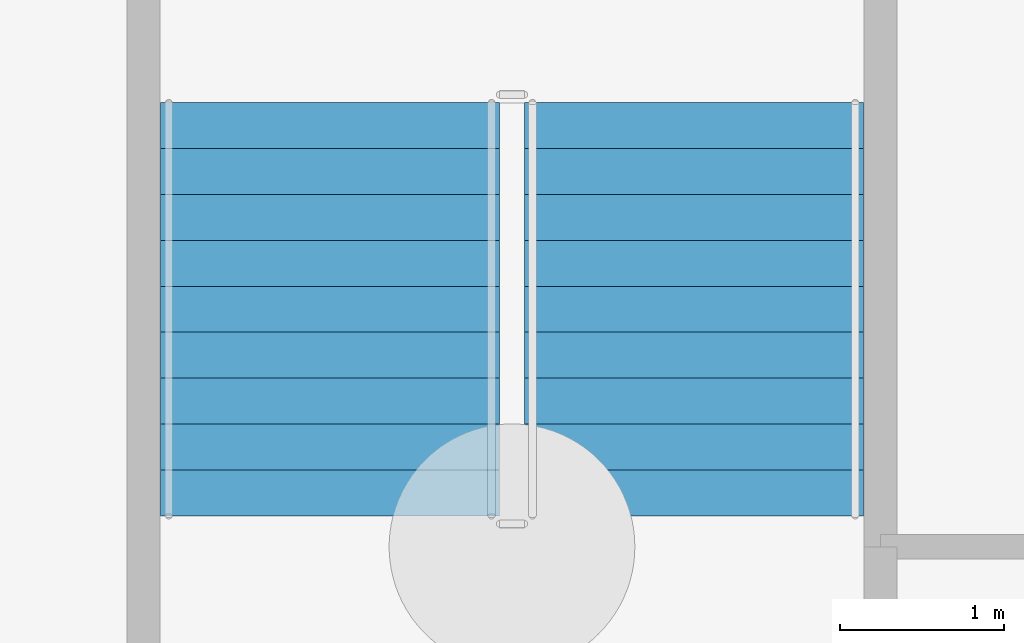
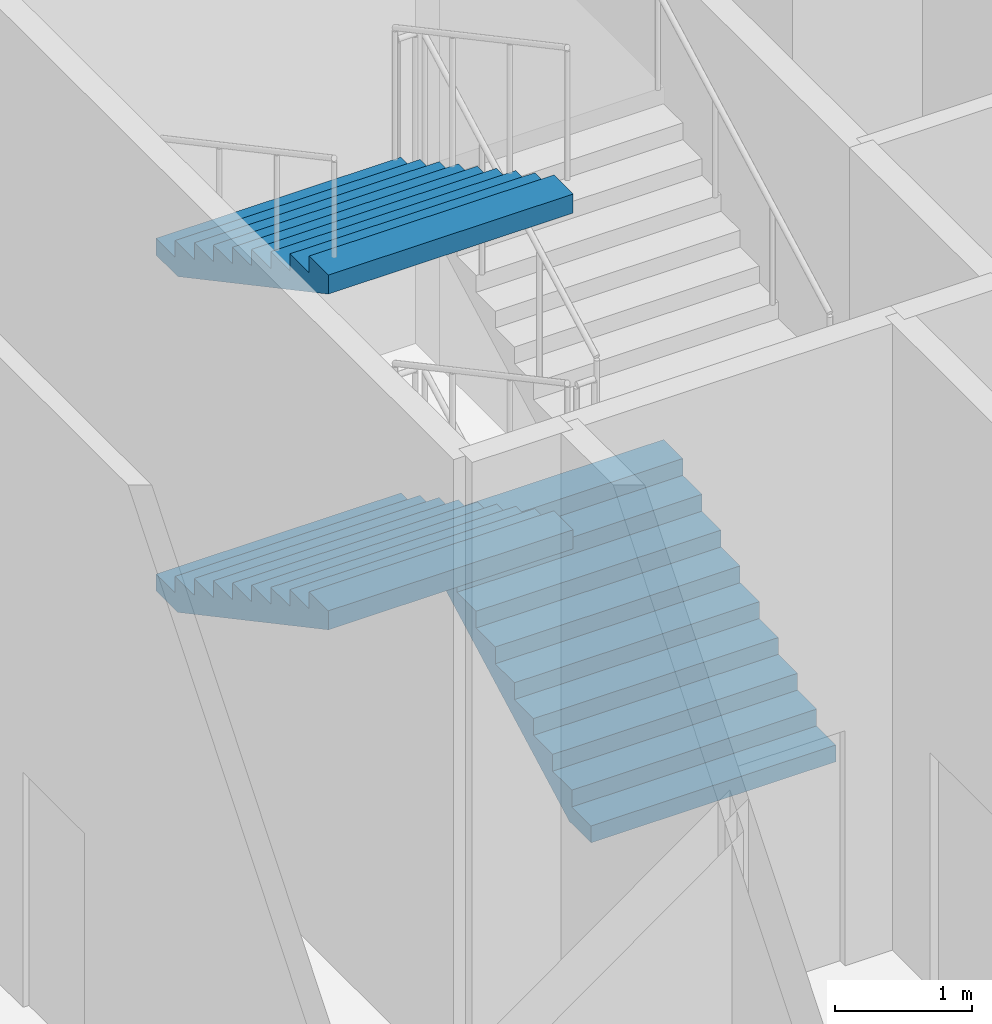
# One storey, part 8 of 25: 3 stair flights, 1 element without a shape of its own.
"""IFC4 building model written with IfcOpenShell, lengths in metres."""

from ifc_helpers import new_model, si_unit, direction, frame, origin, place, context, subcontext, project, spatial, polygons, material, type_object, element, aggregate, save


model = new_model("IFC4")

# Units and contexts
model_context = context("Model", 3, precision=1e-05, world=origin(), true_north=direction((0.0, 1.0)))
body_context = subcontext(model_context, "Body", "Model", "MODEL_VIEW")
ifc_project = project(units=[si_unit("LENGTHUNIT", "METRE"), si_unit("AREAUNIT", "SQUARE_METRE"), si_unit("VOLUMEUNIT", "CUBIC_METRE"), si_unit("PLANEANGLEUNIT", "RADIAN"), si_unit("MASSUNIT", "GRAM", prefix="KILO")], contexts=[model_context])

# Site, building, storey
site_placement = place(None, origin())
site = spatial("IfcSite", under=ifc_project, at=site_placement, CompositionType="ELEMENT")
building_placement = place(site_placement, origin())
building = spatial("IfcBuilding", under=site, at=building_placement, Name="Caravel Reach Hotel and Residences", CompositionType="ELEMENT")
storey_placement = place(building_placement, frame((0.0, 0.0, -6.0)))
storey = spatial("IfcBuildingStorey", under=building, at=storey_placement, Name="B1", CompositionType="ELEMENT", Elevation=-6.0)

# Stair, stair flights
ifc_material_1 = material(Name="Concrete C40", Category="concrete")
stair_type = type_object("IfcStairType", Name="Core stair", PredefinedType="HALF_TURN_STAIR", material=ifc_material_1)
stair_placement = place(storey_placement, origin())
stair = element("IfcStair", 1, at=stair_placement, inside=storey, type_object=stair_type, Name="B1 Exit stair P3", PredefinedType="HALF_TURN_STAIR")
ifc_material_2 = material(Name="Concrete C40", Category="concrete")
stair_flight_type = type_object("IfcStairFlightType", Name="Core stair flight", PredefinedType="STRAIGHT", material=ifc_material_2)
stair_flight_1_placement = place(storey_placement, frame((10.110107421875, 13.68994140625, 0.0), z_axis=(0.0, 0.0, 1.0), x_axis=(0.0, 1.0, 0.0)))
stair_flight_1 = element("IfcStairFlight", 2, at=stair_flight_1_placement, type_object=stair_flight_type, Name="ST-P3 flight 1", NumberOfRisers=10, NumberOfTreads=9, PredefinedType="STRAIGHT", RiserHeight=0.15, TreadLength=0.28, context=body_context, shape_type="Tessellation", body=[
    polygons([(0.3174408016601862, 1.0350341796875, 0.0), (0.3174408016601862, 0.6900227864583333, 0.0), (0.3174408016601862, 0.34501139322916663, 0.0), (0.3174408016601862, 0.0, 0.0), (0.3174408016601862, -0.34501139322916674, 0.0), (0.3174408016601862, -0.6900227864583333, 0.0), (0.3174408016601862, -1.0350341796875, 0.0), (2.5210000000000004, 1.0350341796875, 1.1799424276820432), (2.5210000000000004, 0.6900227864583333, 1.1799424276820432), (2.5210000000000004, 0.34501139322916663, 1.1799424276820432), (2.5210000000000004, 0.0, 1.1799424276820432), (2.5210000000000004, -0.34501139322916674, 1.1799424276820432), (2.5210000000000004, -0.6900227864583333, 1.1799424276820432), (2.5210000000000004, -1.0350341796875, 1.1799424276820432), (2.5210000000000004, 1.0350341796875, 1.3499999999999999), (2.5210000000000004, 0.6900227864583333, 1.3499999999999999), (2.5210000000000004, 0.34501139322916663, 1.3499999999999999), (2.5210000000000004, 0.0, 1.3499999999999999), (2.5210000000000004, -0.34501139322916674, 1.3499999999999999), (2.5210000000000004, -0.6900227864583333, 1.3499999999999999), (2.5210000000000004, -1.0350341796875, 1.3499999999999999), (2.24, 1.0350341796875, 1.3499999999999999), (2.24, 0.6900227864583333, 1.3499999999999999), (2.24, 0.34501139322916663, 1.3499999999999999), (2.24, 0.0, 1.3499999999999999), (2.24, -0.34501139322916674, 1.3499999999999999), (2.24, -0.6900227864583333, 1.3499999999999999), (2.24, -1.0350341796875, 1.3499999999999999), (2.24, 1.0350341796875, 1.2), (2.24, 0.6900227864583333, 1.2), (2.24, 0.34501139322916663, 1.2), (2.24, 0.0, 1.2), (2.24, -0.34501139322916674, 1.2), (2.24, -0.6900227864583333, 1.2), (2.24, -1.0350341796875, 1.2), (1.9600000000000002, 1.0350341796875, 1.2), (1.9600000000000002, 0.6900227864583333, 1.2), (1.9600000000000002, 0.34501139322916663, 1.2), (1.9600000000000002, 0.0, 1.2), (1.9600000000000002, -0.34501139322916674, 1.2), (1.9600000000000002, -0.6900227864583333, 1.2), (1.9600000000000002, -1.0350341796875, 1.2), (1.9600000000000002, 1.0350341796875, 1.05), (1.9600000000000002, 0.6900227864583333, 1.05), (1.9600000000000002, 0.34501139322916663, 1.05), (1.9600000000000002, 0.0, 1.05), (1.9600000000000002, -0.34501139322916674, 1.05), (1.9600000000000002, -0.6900227864583333, 1.05), (1.9600000000000002, -1.0350341796875, 1.05), (1.6800000000000002, 1.0350341796875, 1.05), (1.6800000000000002, 0.6900227864583333, 1.05), (1.6800000000000002, 0.34501139322916663, 1.05), (1.6800000000000002, 0.0, 1.05), (1.6800000000000002, -0.34501139322916674, 1.05), (1.6800000000000002, -0.6900227864583333, 1.05), (1.6800000000000002, -1.0350341796875, 1.05), (1.6800000000000002, 1.0350341796875, 0.8999999999999999), (1.6800000000000002, 0.6900227864583333, 0.8999999999999999), (1.6800000000000002, 0.34501139322916663, 0.8999999999999999), (1.6800000000000002, 0.0, 0.8999999999999999), (1.6800000000000002, -0.34501139322916674, 0.8999999999999999), (1.6800000000000002, -0.6900227864583333, 0.8999999999999999), (1.6800000000000002, -1.0350341796875, 0.8999999999999999), (1.4000000000000001, 1.0350341796875, 0.8999999999999999), (1.4000000000000001, 0.6900227864583333, 0.8999999999999999), (1.4000000000000001, 0.34501139322916663, 0.8999999999999999), (1.4000000000000001, 0.0, 0.8999999999999999), (1.4000000000000001, -0.34501139322916674, 0.8999999999999999), (1.4000000000000001, -0.6900227864583333, 0.8999999999999999), (1.4000000000000001, -1.0350341796875, 0.8999999999999999), (1.4000000000000001, 1.0350341796875, 0.75), (1.4000000000000001, 0.6900227864583333, 0.75), (1.4000000000000001, 0.34501139322916663, 0.75), (1.4000000000000001, 0.0, 0.75), (1.4000000000000001, -0.34501139322916674, 0.75), (1.4000000000000001, -0.6900227864583333, 0.75), (1.4000000000000001, -1.0350341796875, 0.75), (1.12, 1.0350341796875, 0.75), (1.12, 0.6900227864583333, 0.75), (1.12, 0.34501139322916663, 0.75), (1.12, 0.0, 0.75), (1.12, -0.34501139322916674, 0.75), (1.12, -0.6900227864583333, 0.75), (1.12, -1.0350341796875, 0.75), (1.12, 1.0350341796875, 0.6), (1.12, 0.6900227864583333, 0.6), (1.12, 0.34501139322916663, 0.6), (1.12, 0.0, 0.6), (1.12, -0.34501139322916674, 0.6), (1.12, -0.6900227864583333, 0.6), (1.12, -1.0350341796875, 0.6), (0.8400000000000001, 1.0350341796875, 0.6), (0.8400000000000001, 0.6900227864583333, 0.6), (0.8400000000000001, 0.34501139322916663, 0.6), (0.8400000000000001, 0.0, 0.6), (0.8400000000000001, -0.34501139322916674, 0.6), (0.8400000000000001, -0.6900227864583333, 0.6), (0.8400000000000001, -1.0350341796875, 0.6), (0.8400000000000001, 1.0350341796875, 0.44999999999999996), (0.8400000000000001, 0.6900227864583333, 0.44999999999999996), (0.8400000000000001, 0.34501139322916663, 0.44999999999999996), (0.8400000000000001, 0.0, 0.44999999999999996), (0.8400000000000001, -0.34501139322916674, 0.44999999999999996), (0.8400000000000001, -0.6900227864583333, 0.44999999999999996), (0.8400000000000001, -1.0350341796875, 0.44999999999999996), (0.56, 1.0350341796875, 0.44999999999999996), (0.56, 0.6900227864583333, 0.44999999999999996), (0.56, 0.34501139322916663, 0.44999999999999996), (0.56, 0.0, 0.44999999999999996), (0.56, -0.34501139322916674, 0.44999999999999996), (0.56, -0.6900227864583333, 0.44999999999999996), (0.56, -1.0350341796875, 0.44999999999999996), (0.56, 1.0350341796875, 0.3), (0.56, 0.6900227864583333, 0.3), (0.56, 0.34501139322916663, 0.3), (0.56, 0.0, 0.3), (0.56, -0.34501139322916674, 0.3), (0.56, -0.6900227864583333, 0.3), (0.56, -1.0350341796875, 0.3), (0.28, 1.0350341796875, 0.3), (0.28, 0.6900227864583333, 0.3), (0.28, 0.34501139322916663, 0.3), (0.28, 0.0, 0.3), (0.28, -0.34501139322916674, 0.3), (0.28, -0.6900227864583333, 0.3), (0.28, -1.0350341796875, 0.3), (0.28, 1.0350341796875, 0.15), (0.28, 0.6900227864583333, 0.15), (0.28, 0.34501139322916663, 0.15), (0.28, 0.0, 0.15), (0.28, -0.34501139322916674, 0.15), (0.28, -0.6900227864583333, 0.15), (0.28, -1.0350341796875, 0.15), (-0.001, 1.0350341796875, 0.15), (-0.001, 0.6900227864583333, 0.15), (-0.001, 0.34501139322916663, 0.15), (-0.001, 0.0, 0.15), (-0.001, -0.34501139322916674, 0.15), (-0.001, -0.6900227864583333, 0.15), (-0.001, -1.0350341796875, 0.15), (-0.001, 1.0350341796875, 0.0), (-0.001, 0.6900227864583333, 0.0), (-0.001, 0.34501139322916663, 0.0), (-0.001, 0.0, 0.0), (-0.001, -0.34501139322916674, 0.0), (-0.001, -0.6900227864583333, 0.0), (-0.001, -1.0350341796875, 0.0)], [[[141, 134, 127, 120, 113, 106, 99, 92, 85, 78, 71, 64, 57, 50, 43, 36, 29, 22, 15, 8, 1]], [[7, 14, 21, 28, 35, 42, 49, 56, 63, 70, 77, 84, 91, 98, 105, 112, 119, 126, 133, 140, 147]], [[1, 8, 9, 2]], [[2, 9, 10, 3]], [[3, 10, 11, 4]], [[4, 11, 12, 5]], [[5, 12, 13, 6]], [[6, 13, 14, 7]], [[8, 15, 16, 9]], [[9, 16, 17, 10]], [[10, 17, 18, 11]], [[11, 18, 19, 12]], [[12, 19, 20, 13]], [[13, 20, 21, 14]], [[15, 22, 23, 16]], [[16, 23, 24, 17]], [[17, 24, 25, 18]], [[18, 25, 26, 19]], [[19, 26, 27, 20]], [[20, 27, 28, 21]], [[22, 29, 30, 23]], [[23, 30, 31, 24]], [[24, 31, 32, 25]], [[25, 32, 33, 26]], [[26, 33, 34, 27]], [[27, 34, 35, 28]], [[29, 36, 37, 30]], [[30, 37, 38, 31]], [[31, 38, 39, 32]], [[32, 39, 40, 33]], [[33, 40, 41, 34]], [[34, 41, 42, 35]], [[36, 43, 44, 37]], [[37, 44, 45, 38]], [[38, 45, 46, 39]], [[39, 46, 47, 40]], [[40, 47, 48, 41]], [[41, 48, 49, 42]], [[43, 50, 51, 44]], [[44, 51, 52, 45]], [[45, 52, 53, 46]], [[46, 53, 54, 47]], [[47, 54, 55, 48]], [[48, 55, 56, 49]], [[50, 57, 58, 51]], [[51, 58, 59, 52]], [[52, 59, 60, 53]], [[53, 60, 61, 54]], [[54, 61, 62, 55]], [[55, 62, 63, 56]], [[57, 64, 65, 58]], [[58, 65, 66, 59]], [[59, 66, 67, 60]], [[60, 67, 68, 61]], [[61, 68, 69, 62]], [[62, 69, 70, 63]], [[64, 71, 72, 65]], [[65, 72, 73, 66]], [[66, 73, 74, 67]], [[67, 74, 75, 68]], [[68, 75, 76, 69]], [[69, 76, 77, 70]], [[71, 78, 79, 72]], [[72, 79, 80, 73]], [[73, 80, 81, 74]], [[74, 81, 82, 75]], [[75, 82, 83, 76]], [[76, 83, 84, 77]], [[78, 85, 86, 79]], [[79, 86, 87, 80]], [[80, 87, 88, 81]], [[81, 88, 89, 82]], [[82, 89, 90, 83]], [[83, 90, 91, 84]], [[85, 92, 93, 86]], [[86, 93, 94, 87]], [[87, 94, 95, 88]], [[88, 95, 96, 89]], [[89, 96, 97, 90]], [[90, 97, 98, 91]], [[92, 99, 100, 93]], [[93, 100, 101, 94]], [[94, 101, 102, 95]], [[95, 102, 103, 96]], [[96, 103, 104, 97]], [[97, 104, 105, 98]], [[99, 106, 107, 100]], [[100, 107, 108, 101]], [[101, 108, 109, 102]], [[102, 109, 110, 103]], [[103, 110, 111, 104]], [[104, 111, 112, 105]], [[106, 113, 114, 107]], [[107, 114, 115, 108]], [[108, 115, 116, 109]], [[109, 116, 117, 110]], [[110, 117, 118, 111]], [[111, 118, 119, 112]], [[113, 120, 121, 114]], [[114, 121, 122, 115]], [[115, 122, 123, 116]], [[116, 123, 124, 117]], [[117, 124, 125, 118]], [[118, 125, 126, 119]], [[120, 127, 128, 121]], [[121, 128, 129, 122]], [[122, 129, 130, 123]], [[123, 130, 131, 124]], [[124, 131, 132, 125]], [[125, 132, 133, 126]], [[127, 134, 135, 128]], [[128, 135, 136, 129]], [[129, 136, 137, 130]], [[130, 137, 138, 131]], [[131, 138, 139, 132]], [[132, 139, 140, 133]], [[134, 141, 142, 135]], [[135, 142, 143, 136]], [[136, 143, 144, 137]], [[137, 144, 145, 138]], [[138, 145, 146, 139]], [[139, 146, 147, 140]], [[141, 1, 2, 142]], [[142, 2, 3, 143]], [[143, 3, 4, 144]], [[144, 4, 5, 145]], [[145, 5, 6, 146]], [[146, 6, 7, 147]]], closed=True),
])
stair_flight_2_placement = place(storey_placement, frame((7.889892578125, 16.2099609375, 1.5), z_axis=(0.0, 0.0, 1.0), x_axis=(0.0, -1.0, 0.0)))
stair_flight_2 = element("IfcStairFlight", 3, at=stair_flight_2_placement, type_object=stair_flight_type, Name="ST-P3 flight 2", NumberOfRisers=10, NumberOfTreads=9, PredefinedType="STRAIGHT", RiserHeight=0.15, TreadLength=0.28, context=body_context, shape_type="Tessellation", body=[
    polygons([(0.3174408016601862, 1.0350341796875, 0.0), (0.3174408016601862, 0.6900227864583333, 0.0), (0.3174408016601862, 0.34501139322916663, 0.0), (0.3174408016601862, 0.0, 0.0), (0.3174408016601862, -0.34501139322916674, 0.0), (0.3174408016601862, -0.6900227864583333, 0.0), (0.3174408016601862, -1.0350341796875, 0.0), (2.5210000000000004, 1.0350341796875, 1.1799424276820432), (2.5210000000000004, 0.6900227864583333, 1.1799424276820432), (2.5210000000000004, 0.34501139322916663, 1.1799424276820432), (2.5210000000000004, 0.0, 1.1799424276820432), (2.5210000000000004, -0.34501139322916674, 1.1799424276820432), (2.5210000000000004, -0.6900227864583333, 1.1799424276820432), (2.5210000000000004, -1.0350341796875, 1.1799424276820432), (2.5210000000000004, 1.0350341796875, 1.3499999999999999), (2.5210000000000004, 0.6900227864583333, 1.3499999999999999), (2.5210000000000004, 0.34501139322916663, 1.3499999999999999), (2.5210000000000004, 0.0, 1.3499999999999999), (2.5210000000000004, -0.34501139322916674, 1.3499999999999999), (2.5210000000000004, -0.6900227864583333, 1.3499999999999999), (2.5210000000000004, -1.0350341796875, 1.3499999999999999), (2.24, 1.0350341796875, 1.3499999999999999), (2.24, 0.6900227864583333, 1.3499999999999999), (2.24, 0.34501139322916663, 1.3499999999999999), (2.24, 0.0, 1.3499999999999999), (2.24, -0.34501139322916674, 1.3499999999999999), (2.24, -0.6900227864583333, 1.3499999999999999), (2.24, -1.0350341796875, 1.3499999999999999), (2.24, 1.0350341796875, 1.2), (2.24, 0.6900227864583333, 1.2), (2.24, 0.34501139322916663, 1.2), (2.24, 0.0, 1.2), (2.24, -0.34501139322916674, 1.2), (2.24, -0.6900227864583333, 1.2), (2.24, -1.0350341796875, 1.2), (1.9600000000000002, 1.0350341796875, 1.2), (1.9600000000000002, 0.6900227864583333, 1.2), (1.9600000000000002, 0.34501139322916663, 1.2), (1.9600000000000002, 0.0, 1.2), (1.9600000000000002, -0.34501139322916674, 1.2), (1.9600000000000002, -0.6900227864583333, 1.2), (1.9600000000000002, -1.0350341796875, 1.2), (1.9600000000000002, 1.0350341796875, 1.05), (1.9600000000000002, 0.6900227864583333, 1.05), (1.9600000000000002, 0.34501139322916663, 1.05), (1.9600000000000002, 0.0, 1.05), (1.9600000000000002, -0.34501139322916674, 1.05), (1.9600000000000002, -0.6900227864583333, 1.05), (1.9600000000000002, -1.0350341796875, 1.05), (1.6800000000000002, 1.0350341796875, 1.05), (1.6800000000000002, 0.6900227864583333, 1.05), (1.6800000000000002, 0.34501139322916663, 1.05), (1.6800000000000002, 0.0, 1.05), (1.6800000000000002, -0.34501139322916674, 1.05), (1.6800000000000002, -0.6900227864583333, 1.05), (1.6800000000000002, -1.0350341796875, 1.05), (1.6800000000000002, 1.0350341796875, 0.8999999999999999), (1.6800000000000002, 0.6900227864583333, 0.8999999999999999), (1.6800000000000002, 0.34501139322916663, 0.8999999999999999), (1.6800000000000002, 0.0, 0.8999999999999999), (1.6800000000000002, -0.34501139322916674, 0.8999999999999999), (1.6800000000000002, -0.6900227864583333, 0.8999999999999999), (1.6800000000000002, -1.0350341796875, 0.8999999999999999), (1.4000000000000001, 1.0350341796875, 0.8999999999999999), (1.4000000000000001, 0.6900227864583333, 0.8999999999999999), (1.4000000000000001, 0.34501139322916663, 0.8999999999999999), (1.4000000000000001, 0.0, 0.8999999999999999), (1.4000000000000001, -0.34501139322916674, 0.8999999999999999), (1.4000000000000001, -0.6900227864583333, 0.8999999999999999), (1.4000000000000001, -1.0350341796875, 0.8999999999999999), (1.4000000000000001, 1.0350341796875, 0.75), (1.4000000000000001, 0.6900227864583333, 0.75), (1.4000000000000001, 0.34501139322916663, 0.75), (1.4000000000000001, 0.0, 0.75), (1.4000000000000001, -0.34501139322916674, 0.75), (1.4000000000000001, -0.6900227864583333, 0.75), (1.4000000000000001, -1.0350341796875, 0.75), (1.12, 1.0350341796875, 0.75), (1.12, 0.6900227864583333, 0.75), (1.12, 0.34501139322916663, 0.75), (1.12, 0.0, 0.75), (1.12, -0.34501139322916674, 0.75), (1.12, -0.6900227864583333, 0.75), (1.12, -1.0350341796875, 0.75), (1.12, 1.0350341796875, 0.6), (1.12, 0.6900227864583333, 0.6), (1.12, 0.34501139322916663, 0.6), (1.12, 0.0, 0.6), (1.12, -0.34501139322916674, 0.6), (1.12, -0.6900227864583333, 0.6), (1.12, -1.0350341796875, 0.6), (0.8400000000000001, 1.0350341796875, 0.6), (0.8400000000000001, 0.6900227864583333, 0.6), (0.8400000000000001, 0.34501139322916663, 0.6), (0.8400000000000001, 0.0, 0.6), (0.8400000000000001, -0.34501139322916674, 0.6), (0.8400000000000001, -0.6900227864583333, 0.6), (0.8400000000000001, -1.0350341796875, 0.6), (0.8400000000000001, 1.0350341796875, 0.44999999999999996), (0.8400000000000001, 0.6900227864583333, 0.44999999999999996), (0.8400000000000001, 0.34501139322916663, 0.44999999999999996), (0.8400000000000001, 0.0, 0.44999999999999996), (0.8400000000000001, -0.34501139322916674, 0.44999999999999996), (0.8400000000000001, -0.6900227864583333, 0.44999999999999996), (0.8400000000000001, -1.0350341796875, 0.44999999999999996), (0.56, 1.0350341796875, 0.44999999999999996), (0.56, 0.6900227864583333, 0.44999999999999996), (0.56, 0.34501139322916663, 0.44999999999999996), (0.56, 0.0, 0.44999999999999996), (0.56, -0.34501139322916674, 0.44999999999999996), (0.56, -0.6900227864583333, 0.44999999999999996), (0.56, -1.0350341796875, 0.44999999999999996), (0.56, 1.0350341796875, 0.3), (0.56, 0.6900227864583333, 0.3), (0.56, 0.34501139322916663, 0.3), (0.56, 0.0, 0.3), (0.56, -0.34501139322916674, 0.3), (0.56, -0.6900227864583333, 0.3), (0.56, -1.0350341796875, 0.3), (0.28, 1.0350341796875, 0.3), (0.28, 0.6900227864583333, 0.3), (0.28, 0.34501139322916663, 0.3), (0.28, 0.0, 0.3), (0.28, -0.34501139322916674, 0.3), (0.28, -0.6900227864583333, 0.3), (0.28, -1.0350341796875, 0.3), (0.28, 1.0350341796875, 0.15), (0.28, 0.6900227864583333, 0.15), (0.28, 0.34501139322916663, 0.15), (0.28, 0.0, 0.15), (0.28, -0.34501139322916674, 0.15), (0.28, -0.6900227864583333, 0.15), (0.28, -1.0350341796875, 0.15), (-0.001, 1.0350341796875, 0.15), (-0.001, 0.6900227864583333, 0.15), (-0.001, 0.34501139322916663, 0.15), (-0.001, 0.0, 0.15), (-0.001, -0.34501139322916674, 0.15), (-0.001, -0.6900227864583333, 0.15), (-0.001, -1.0350341796875, 0.15), (-0.001, 1.0350341796875, 0.0), (-0.001, 0.6900227864583333, 0.0), (-0.001, 0.34501139322916663, 0.0), (-0.001, 0.0, 0.0), (-0.001, -0.34501139322916674, 0.0), (-0.001, -0.6900227864583333, 0.0), (-0.001, -1.0350341796875, 0.0)], [[[141, 134, 127, 120, 113, 106, 99, 92, 85, 78, 71, 64, 57, 50, 43, 36, 29, 22, 15, 8, 1]], [[7, 14, 21, 28, 35, 42, 49, 56, 63, 70, 77, 84, 91, 98, 105, 112, 119, 126, 133, 140, 147]], [[1, 8, 9, 2]], [[2, 9, 10, 3]], [[3, 10, 11, 4]], [[4, 11, 12, 5]], [[5, 12, 13, 6]], [[6, 13, 14, 7]], [[8, 15, 16, 9]], [[9, 16, 17, 10]], [[10, 17, 18, 11]], [[11, 18, 19, 12]], [[12, 19, 20, 13]], [[13, 20, 21, 14]], [[15, 22, 23, 16]], [[16, 23, 24, 17]], [[17, 24, 25, 18]], [[18, 25, 26, 19]], [[19, 26, 27, 20]], [[20, 27, 28, 21]], [[22, 29, 30, 23]], [[23, 30, 31, 24]], [[24, 31, 32, 25]], [[25, 32, 33, 26]], [[26, 33, 34, 27]], [[27, 34, 35, 28]], [[29, 36, 37, 30]], [[30, 37, 38, 31]], [[31, 38, 39, 32]], [[32, 39, 40, 33]], [[33, 40, 41, 34]], [[34, 41, 42, 35]], [[36, 43, 44, 37]], [[37, 44, 45, 38]], [[38, 45, 46, 39]], [[39, 46, 47, 40]], [[40, 47, 48, 41]], [[41, 48, 49, 42]], [[43, 50, 51, 44]], [[44, 51, 52, 45]], [[45, 52, 53, 46]], [[46, 53, 54, 47]], [[47, 54, 55, 48]], [[48, 55, 56, 49]], [[50, 57, 58, 51]], [[51, 58, 59, 52]], [[52, 59, 60, 53]], [[53, 60, 61, 54]], [[54, 61, 62, 55]], [[55, 62, 63, 56]], [[57, 64, 65, 58]], [[58, 65, 66, 59]], [[59, 66, 67, 60]], [[60, 67, 68, 61]], [[61, 68, 69, 62]], [[62, 69, 70, 63]], [[64, 71, 72, 65]], [[65, 72, 73, 66]], [[66, 73, 74, 67]], [[67, 74, 75, 68]], [[68, 75, 76, 69]], [[69, 76, 77, 70]], [[71, 78, 79, 72]], [[72, 79, 80, 73]], [[73, 80, 81, 74]], [[74, 81, 82, 75]], [[75, 82, 83, 76]], [[76, 83, 84, 77]], [[78, 85, 86, 79]], [[79, 86, 87, 80]], [[80, 87, 88, 81]], [[81, 88, 89, 82]], [[82, 89, 90, 83]], [[83, 90, 91, 84]], [[85, 92, 93, 86]], [[86, 93, 94, 87]], [[87, 94, 95, 88]], [[88, 95, 96, 89]], [[89, 96, 97, 90]], [[90, 97, 98, 91]], [[92, 99, 100, 93]], [[93, 100, 101, 94]], [[94, 101, 102, 95]], [[95, 102, 103, 96]], [[96, 103, 104, 97]], [[97, 104, 105, 98]], [[99, 106, 107, 100]], [[100, 107, 108, 101]], [[101, 108, 109, 102]], [[102, 109, 110, 103]], [[103, 110, 111, 104]], [[104, 111, 112, 105]], [[106, 113, 114, 107]], [[107, 114, 115, 108]], [[108, 115, 116, 109]], [[109, 116, 117, 110]], [[110, 117, 118, 111]], [[111, 118, 119, 112]], [[113, 120, 121, 114]], [[114, 121, 122, 115]], [[115, 122, 123, 116]], [[116, 123, 124, 117]], [[117, 124, 125, 118]], [[118, 125, 126, 119]], [[120, 127, 128, 121]], [[121, 128, 129, 122]], [[122, 129, 130, 123]], [[123, 130, 131, 124]], [[124, 131, 132, 125]], [[125, 132, 133, 126]], [[127, 134, 135, 128]], [[128, 135, 136, 129]], [[129, 136, 137, 130]], [[130, 137, 138, 131]], [[131, 138, 139, 132]], [[132, 139, 140, 133]], [[134, 141, 142, 135]], [[135, 142, 143, 136]], [[136, 143, 144, 137]], [[137, 144, 145, 138]], [[138, 145, 146, 139]], [[139, 146, 147, 140]], [[141, 1, 2, 142]], [[142, 2, 3, 143]], [[143, 3, 4, 144]], [[144, 4, 5, 145]], [[145, 5, 6, 146]], [[146, 6, 7, 147]]], closed=True),
])
stair_flight_3_placement = place(storey_placement, frame((7.889892578125, 16.2099609375, 4.5), z_axis=(0.0, 0.0, 1.0), x_axis=(0.0, -1.0, 0.0)))
stair_flight_3 = element("IfcStairFlight", 4, at=stair_flight_3_placement, type_object=stair_flight_type, Name="ST-P3 flight 4", NumberOfRisers=10, NumberOfTreads=9, PredefinedType="STRAIGHT", RiserHeight=0.15, TreadLength=0.28, context=body_context, shape_type="Tessellation", body=[
    polygons([(0.3174408016601862, 1.0350341796875, 0.0), (0.3174408016601862, 0.6900227864583333, 0.0), (0.3174408016601862, 0.34501139322916663, 0.0), (0.3174408016601862, 0.0, 0.0), (0.3174408016601862, -0.34501139322916674, 0.0), (0.3174408016601862, -0.6900227864583333, 0.0), (0.3174408016601862, -1.0350341796875, 0.0), (2.5210000000000004, 1.0350341796875, 1.1799424276820432), (2.5210000000000004, 0.6900227864583333, 1.1799424276820432), (2.5210000000000004, 0.34501139322916663, 1.1799424276820432), (2.5210000000000004, 0.0, 1.1799424276820432), (2.5210000000000004, -0.34501139322916674, 1.1799424276820432), (2.5210000000000004, -0.6900227864583333, 1.1799424276820432), (2.5210000000000004, -1.0350341796875, 1.1799424276820432), (2.5210000000000004, 1.0350341796875, 1.3499999999999999), (2.5210000000000004, 0.6900227864583333, 1.3499999999999999), (2.5210000000000004, 0.34501139322916663, 1.3499999999999999), (2.5210000000000004, 0.0, 1.3499999999999999), (2.5210000000000004, -0.34501139322916674, 1.3499999999999999), (2.5210000000000004, -0.6900227864583333, 1.3499999999999999), (2.5210000000000004, -1.0350341796875, 1.3499999999999999), (2.24, 1.0350341796875, 1.3499999999999999), (2.24, 0.6900227864583333, 1.3499999999999999), (2.24, 0.34501139322916663, 1.3499999999999999), (2.24, 0.0, 1.3499999999999999), (2.24, -0.34501139322916674, 1.3499999999999999), (2.24, -0.6900227864583333, 1.3499999999999999), (2.24, -1.0350341796875, 1.3499999999999999), (2.24, 1.0350341796875, 1.2), (2.24, 0.6900227864583333, 1.2), (2.24, 0.34501139322916663, 1.2), (2.24, 0.0, 1.2), (2.24, -0.34501139322916674, 1.2), (2.24, -0.6900227864583333, 1.2), (2.24, -1.0350341796875, 1.2), (1.9600000000000002, 1.0350341796875, 1.2), (1.9600000000000002, 0.6900227864583333, 1.2), (1.9600000000000002, 0.34501139322916663, 1.2), (1.9600000000000002, 0.0, 1.2), (1.9600000000000002, -0.34501139322916674, 1.2), (1.9600000000000002, -0.6900227864583333, 1.2), (1.9600000000000002, -1.0350341796875, 1.2), (1.9600000000000002, 1.0350341796875, 1.05), (1.9600000000000002, 0.6900227864583333, 1.05), (1.9600000000000002, 0.34501139322916663, 1.05), (1.9600000000000002, 0.0, 1.05), (1.9600000000000002, -0.34501139322916674, 1.05), (1.9600000000000002, -0.6900227864583333, 1.05), (1.9600000000000002, -1.0350341796875, 1.05), (1.6800000000000002, 1.0350341796875, 1.05), (1.6800000000000002, 0.6900227864583333, 1.05), (1.6800000000000002, 0.34501139322916663, 1.05), (1.6800000000000002, 0.0, 1.05), (1.6800000000000002, -0.34501139322916674, 1.05), (1.6800000000000002, -0.6900227864583333, 1.05), (1.6800000000000002, -1.0350341796875, 1.05), (1.6800000000000002, 1.0350341796875, 0.8999999999999999), (1.6800000000000002, 0.6900227864583333, 0.8999999999999999), (1.6800000000000002, 0.34501139322916663, 0.8999999999999999), (1.6800000000000002, 0.0, 0.8999999999999999), (1.6800000000000002, -0.34501139322916674, 0.8999999999999999), (1.6800000000000002, -0.6900227864583333, 0.8999999999999999), (1.6800000000000002, -1.0350341796875, 0.8999999999999999), (1.4000000000000001, 1.0350341796875, 0.8999999999999999), (1.4000000000000001, 0.6900227864583333, 0.8999999999999999), (1.4000000000000001, 0.34501139322916663, 0.8999999999999999), (1.4000000000000001, 0.0, 0.8999999999999999), (1.4000000000000001, -0.34501139322916674, 0.8999999999999999), (1.4000000000000001, -0.6900227864583333, 0.8999999999999999), (1.4000000000000001, -1.0350341796875, 0.8999999999999999), (1.4000000000000001, 1.0350341796875, 0.75), (1.4000000000000001, 0.6900227864583333, 0.75), (1.4000000000000001, 0.34501139322916663, 0.75), (1.4000000000000001, 0.0, 0.75), (1.4000000000000001, -0.34501139322916674, 0.75), (1.4000000000000001, -0.6900227864583333, 0.75), (1.4000000000000001, -1.0350341796875, 0.75), (1.12, 1.0350341796875, 0.75), (1.12, 0.6900227864583333, 0.75), (1.12, 0.34501139322916663, 0.75), (1.12, 0.0, 0.75), (1.12, -0.34501139322916674, 0.75), (1.12, -0.6900227864583333, 0.75), (1.12, -1.0350341796875, 0.75), (1.12, 1.0350341796875, 0.6), (1.12, 0.6900227864583333, 0.6), (1.12, 0.34501139322916663, 0.6), (1.12, 0.0, 0.6), (1.12, -0.34501139322916674, 0.6), (1.12, -0.6900227864583333, 0.6), (1.12, -1.0350341796875, 0.6), (0.8400000000000001, 1.0350341796875, 0.6), (0.8400000000000001, 0.6900227864583333, 0.6), (0.8400000000000001, 0.34501139322916663, 0.6), (0.8400000000000001, 0.0, 0.6), (0.8400000000000001, -0.34501139322916674, 0.6), (0.8400000000000001, -0.6900227864583333, 0.6), (0.8400000000000001, -1.0350341796875, 0.6), (0.8400000000000001, 1.0350341796875, 0.44999999999999996), (0.8400000000000001, 0.6900227864583333, 0.44999999999999996), (0.8400000000000001, 0.34501139322916663, 0.44999999999999996), (0.8400000000000001, 0.0, 0.44999999999999996), (0.8400000000000001, -0.34501139322916674, 0.44999999999999996), (0.8400000000000001, -0.6900227864583333, 0.44999999999999996), (0.8400000000000001, -1.0350341796875, 0.44999999999999996), (0.56, 1.0350341796875, 0.44999999999999996), (0.56, 0.6900227864583333, 0.44999999999999996), (0.56, 0.34501139322916663, 0.44999999999999996), (0.56, 0.0, 0.44999999999999996), (0.56, -0.34501139322916674, 0.44999999999999996), (0.56, -0.6900227864583333, 0.44999999999999996), (0.56, -1.0350341796875, 0.44999999999999996), (0.56, 1.0350341796875, 0.3), (0.56, 0.6900227864583333, 0.3), (0.56, 0.34501139322916663, 0.3), (0.56, 0.0, 0.3), (0.56, -0.34501139322916674, 0.3), (0.56, -0.6900227864583333, 0.3), (0.56, -1.0350341796875, 0.3), (0.28, 1.0350341796875, 0.3), (0.28, 0.6900227864583333, 0.3), (0.28, 0.34501139322916663, 0.3), (0.28, 0.0, 0.3), (0.28, -0.34501139322916674, 0.3), (0.28, -0.6900227864583333, 0.3), (0.28, -1.0350341796875, 0.3), (0.28, 1.0350341796875, 0.15), (0.28, 0.6900227864583333, 0.15), (0.28, 0.34501139322916663, 0.15), (0.28, 0.0, 0.15), (0.28, -0.34501139322916674, 0.15), (0.28, -0.6900227864583333, 0.15), (0.28, -1.0350341796875, 0.15), (-0.001, 1.0350341796875, 0.15), (-0.001, 0.6900227864583333, 0.15), (-0.001, 0.34501139322916663, 0.15), (-0.001, 0.0, 0.15), (-0.001, -0.34501139322916674, 0.15), (-0.001, -0.6900227864583333, 0.15), (-0.001, -1.0350341796875, 0.15), (-0.001, 1.0350341796875, 0.0), (-0.001, 0.6900227864583333, 0.0), (-0.001, 0.34501139322916663, 0.0), (-0.001, 0.0, 0.0), (-0.001, -0.34501139322916674, 0.0), (-0.001, -0.6900227864583333, 0.0), (-0.001, -1.0350341796875, 0.0)], [[[141, 134, 127, 120, 113, 106, 99, 92, 85, 78, 71, 64, 57, 50, 43, 36, 29, 22, 15, 8, 1]], [[7, 14, 21, 28, 35, 42, 49, 56, 63, 70, 77, 84, 91, 98, 105, 112, 119, 126, 133, 140, 147]], [[1, 8, 9, 2]], [[2, 9, 10, 3]], [[3, 10, 11, 4]], [[4, 11, 12, 5]], [[5, 12, 13, 6]], [[6, 13, 14, 7]], [[8, 15, 16, 9]], [[9, 16, 17, 10]], [[10, 17, 18, 11]], [[11, 18, 19, 12]], [[12, 19, 20, 13]], [[13, 20, 21, 14]], [[15, 22, 23, 16]], [[16, 23, 24, 17]], [[17, 24, 25, 18]], [[18, 25, 26, 19]], [[19, 26, 27, 20]], [[20, 27, 28, 21]], [[22, 29, 30, 23]], [[23, 30, 31, 24]], [[24, 31, 32, 25]], [[25, 32, 33, 26]], [[26, 33, 34, 27]], [[27, 34, 35, 28]], [[29, 36, 37, 30]], [[30, 37, 38, 31]], [[31, 38, 39, 32]], [[32, 39, 40, 33]], [[33, 40, 41, 34]], [[34, 41, 42, 35]], [[36, 43, 44, 37]], [[37, 44, 45, 38]], [[38, 45, 46, 39]], [[39, 46, 47, 40]], [[40, 47, 48, 41]], [[41, 48, 49, 42]], [[43, 50, 51, 44]], [[44, 51, 52, 45]], [[45, 52, 53, 46]], [[46, 53, 54, 47]], [[47, 54, 55, 48]], [[48, 55, 56, 49]], [[50, 57, 58, 51]], [[51, 58, 59, 52]], [[52, 59, 60, 53]], [[53, 60, 61, 54]], [[54, 61, 62, 55]], [[55, 62, 63, 56]], [[57, 64, 65, 58]], [[58, 65, 66, 59]], [[59, 66, 67, 60]], [[60, 67, 68, 61]], [[61, 68, 69, 62]], [[62, 69, 70, 63]], [[64, 71, 72, 65]], [[65, 72, 73, 66]], [[66, 73, 74, 67]], [[67, 74, 75, 68]], [[68, 75, 76, 69]], [[69, 76, 77, 70]], [[71, 78, 79, 72]], [[72, 79, 80, 73]], [[73, 80, 81, 74]], [[74, 81, 82, 75]], [[75, 82, 83, 76]], [[76, 83, 84, 77]], [[78, 85, 86, 79]], [[79, 86, 87, 80]], [[80, 87, 88, 81]], [[81, 88, 89, 82]], [[82, 89, 90, 83]], [[83, 90, 91, 84]], [[85, 92, 93, 86]], [[86, 93, 94, 87]], [[87, 94, 95, 88]], [[88, 95, 96, 89]], [[89, 96, 97, 90]], [[90, 97, 98, 91]], [[92, 99, 100, 93]], [[93, 100, 101, 94]], [[94, 101, 102, 95]], [[95, 102, 103, 96]], [[96, 103, 104, 97]], [[97, 104, 105, 98]], [[99, 106, 107, 100]], [[100, 107, 108, 101]], [[101, 108, 109, 102]], [[102, 109, 110, 103]], [[103, 110, 111, 104]], [[104, 111, 112, 105]], [[106, 113, 114, 107]], [[107, 114, 115, 108]], [[108, 115, 116, 109]], [[109, 116, 117, 110]], [[110, 117, 118, 111]], [[111, 118, 119, 112]], [[113, 120, 121, 114]], [[114, 121, 122, 115]], [[115, 122, 123, 116]], [[116, 123, 124, 117]], [[117, 124, 125, 118]], [[118, 125, 126, 119]], [[120, 127, 128, 121]], [[121, 128, 129, 122]], [[122, 129, 130, 123]], [[123, 130, 131, 124]], [[124, 131, 132, 125]], [[125, 132, 133, 126]], [[127, 134, 135, 128]], [[128, 135, 136, 129]], [[129, 136, 137, 130]], [[130, 137, 138, 131]], [[131, 138, 139, 132]], [[132, 139, 140, 133]], [[134, 141, 142, 135]], [[135, 142, 143, 136]], [[136, 143, 144, 137]], [[137, 144, 145, 138]], [[138, 145, 146, 139]], [[139, 146, 147, 140]], [[141, 1, 2, 142]], [[142, 2, 3, 143]], [[143, 3, 4, 144]], [[144, 4, 5, 145]], [[145, 5, 6, 146]], [[146, 6, 7, 147]]], closed=True),
])
aggregate(stair, [stair_flight_1, stair_flight_2, stair_flight_3])

save(model, "model.ifc")
